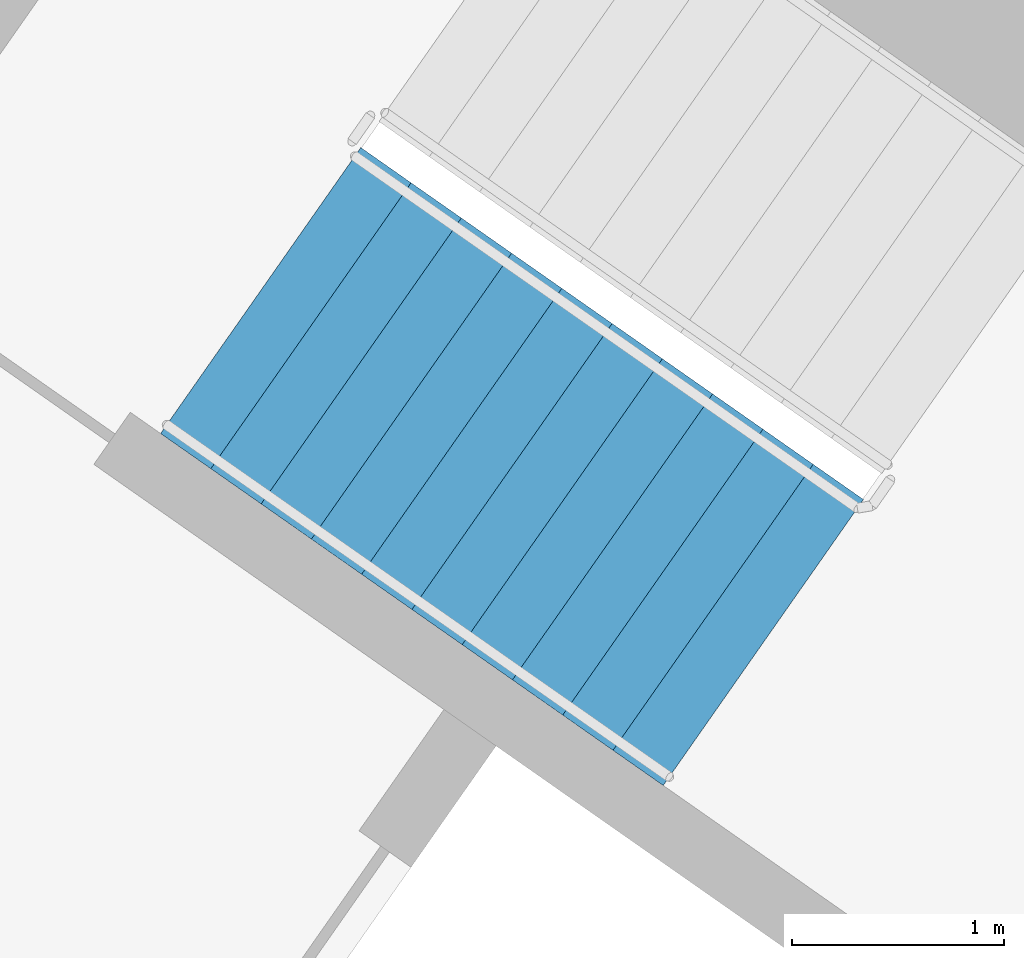
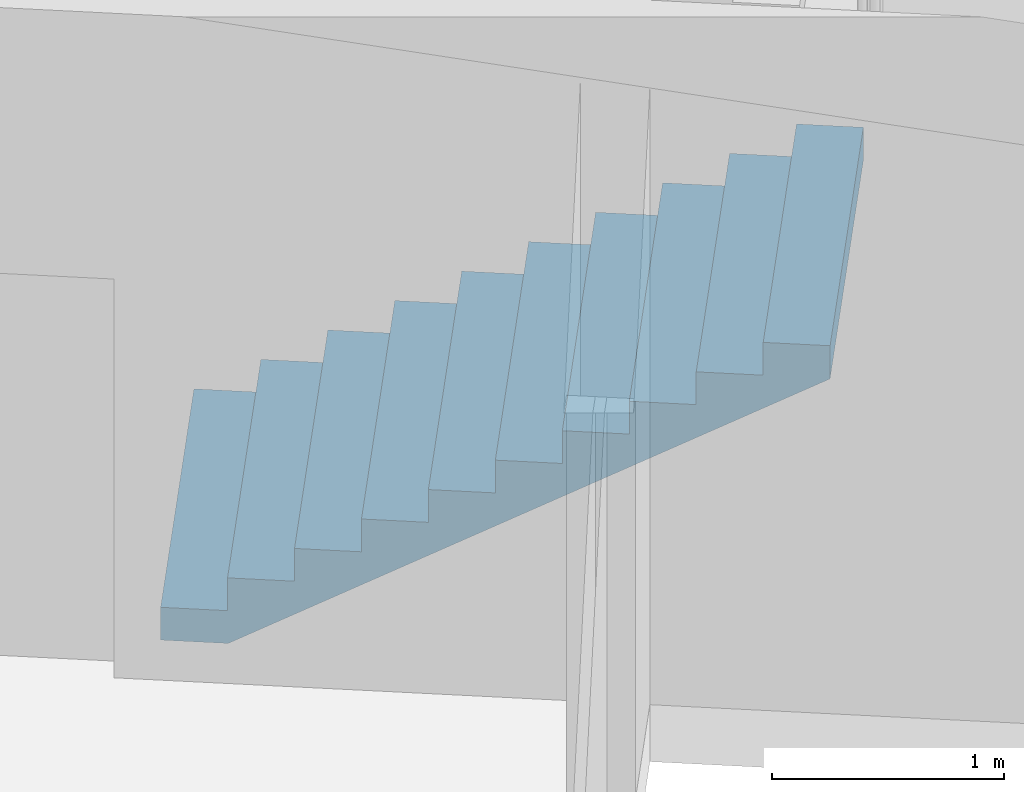
# One storey, part 13 of 29: 1 stair flight, 1 element without a shape of its own.
"""IFC4 building model written with IfcOpenShell, lengths in metres."""

from ifc_helpers import new_model, si_unit, direction, frame, origin, place, context, subcontext, project, spatial, faceted_brep, material, type_object, element, aggregate, save


model = new_model("IFC4")

# Units and contexts
model_context = context("Model", 3, precision=1e-05, world=origin(), true_north=direction((0.0, 1.0)))
body_context = subcontext(model_context, "Body", "Model", "MODEL_VIEW")
ifc_project = project(units=[si_unit("LENGTHUNIT", "METRE"), si_unit("AREAUNIT", "SQUARE_METRE"), si_unit("VOLUMEUNIT", "CUBIC_METRE"), si_unit("PLANEANGLEUNIT", "RADIAN"), si_unit("MASSUNIT", "GRAM", prefix="KILO")], contexts=[model_context])

# Site, building, storey
site_placement = place(None, origin())
site = spatial("IfcSite", under=ifc_project, at=site_placement, CompositionType="ELEMENT")
building_placement = place(site_placement, origin())
building = spatial("IfcBuilding", under=site, at=building_placement, Name="Qamariyya Broadcast Tower", CompositionType="ELEMENT")
storey_placement = place(building_placement, frame((0.0, 0.0, 129.10009765625)))
storey = spatial("IfcBuildingStorey", under=building, at=storey_placement, Name="L29", CompositionType="ELEMENT", Elevation=129.10009765625)

# Stair, stair flight
ifc_material = material(Name="Concrete C50/60", Category="concrete")
stair_type = type_object("IfcStairType", Name="Exit stair 22 risers of 173 mm", PredefinedType="HALF_TURN_STAIR", material=ifc_material)
stair_placement = place(storey_placement, origin())
stair = element("IfcStair", 1, at=stair_placement, inside=storey, type_object=stair_type, Name="L29 Stair W2", PredefinedType="HALF_TURN_STAIR")
stair_flight_type = type_object("IfcStairFlightType", Name="Exit stair flight 11 risers of 173 mm", PredefinedType="STRAIGHT", material=ifc_material)
stair_flight_placement = place(storey_placement, frame((-41.59130859375, -49.15966796875, 0.0), z_axis=(0.0, 0.0, 1.0), x_axis=(0.819152044289, -0.573576436351, 0.0)))
stair_flight = element("IfcStairFlight", 2, at=stair_flight_placement, type_object=stair_flight_type, Name="ST-W2 flight 1", NumberOfRisers=11, NumberOfTreads=10, PredefinedType="STRAIGHT", RiserHeight=0.172727273, TreadLength=0.29, context=body_context, shape_type="Brep", body=[
    faceted_brep([(0.0, 0.824951171875, 0.0), (0.0, 0.824951171875, 0.172607421875), (0.2900390625, 0.824951171875, 0.172607421875), (0.2900390625, 0.824951171875, 0.345458984375), (0.580078125, 0.824951171875, 0.345458984375), (0.580078125, 0.824951171875, 0.51806640625), (0.8701171875, 0.824951171875, 0.51806640625), (0.8701171875, 0.824951171875, 0.69091796875), (1.159912109375, 0.824951171875, 0.69091796875), (1.159912109375, 0.824951171875, 0.863525390625), (1.449951171875, 0.824951171875, 0.863525390625), (1.449951171875, 0.824951171875, 1.036376953125), (1.739990234375, 0.824951171875, 1.036376953125), (1.739990234375, 0.824951171875, 1.208984375), (2.030029296875, 0.824951171875, 1.208984375), (2.030029296875, 0.824951171875, 1.3818359375), (2.320068359375, 0.824951171875, 1.3818359375), (2.320068359375, 0.824951171875, 1.554443359375), (2.610107421875, 0.824951171875, 1.554443359375), (2.610107421875, 0.824951171875, 1.727294921875), (2.89990234375, 0.824951171875, 1.727294921875), (2.89990234375, 0.824951171875, 1.552734375), (0.29296875, 0.824951171875, 0.0), (0.29296875, -0.824951171875, 0.0), (2.89990234375, -0.824951171875, 1.552734375), (2.89990234375, -0.824951171875, 1.727294921875), (2.610107421875, -0.824951171875, 1.727294921875), (2.610107421875, -0.824951171875, 1.554443359375), (2.320068359375, -0.824951171875, 1.554443359375), (2.320068359375, -0.824951171875, 1.3818359375), (2.030029296875, -0.824951171875, 1.3818359375), (2.030029296875, -0.824951171875, 1.208984375), (1.739990234375, -0.824951171875, 1.208984375), (1.739990234375, -0.824951171875, 1.036376953125), (1.449951171875, -0.824951171875, 1.036376953125), (1.449951171875, -0.824951171875, 0.863525390625), (1.159912109375, -0.824951171875, 0.863525390625), (1.159912109375, -0.824951171875, 0.69091796875), (0.8701171875, -0.824951171875, 0.69091796875), (0.8701171875, -0.824951171875, 0.51806640625), (0.580078125, -0.824951171875, 0.51806640625), (0.580078125, -0.824951171875, 0.345458984375), (0.2900390625, -0.824951171875, 0.345458984375), (0.2900390625, -0.824951171875, 0.172607421875), (0.0, -0.824951171875, 0.172607421875), (0.0, -0.824951171875, 0.0), (0.0, 0.10009765625, 0.0), (0.0, 0.086669921875, 0.0), (0.0, 0.0732421875, 0.0), (0.0, 0.06005859375, 0.0), (0.0, 0.046630859375, 0.0), (0.0, 0.033447265625, 0.0), (0.0, 0.02001953125, 0.0), (0.0, 0.006591796875, 0.0), (0.0, -0.006591796875, 0.0), (0.0, -0.02001953125, 0.0), (0.0, -0.033447265625, 0.0), (0.0, -0.046630859375, 0.0), (0.0, -0.06005859375, 0.0), (0.0, -0.0732421875, 0.0), (0.0, -0.086669921875, 0.0), (0.0, -0.10009765625, 0.0), (0.0, -0.10009765625, 0.172607421875), (0.0, -0.086669921875, 0.172607421875), (0.0, -0.0732421875, 0.172607421875), (0.0, -0.06005859375, 0.172607421875), (0.0, -0.046630859375, 0.172607421875), (0.0, -0.033447265625, 0.172607421875), (0.0, -0.02001953125, 0.172607421875), (0.0, -0.006591796875, 0.172607421875), (0.0, 0.006591796875, 0.172607421875), (0.0, 0.02001953125, 0.172607421875), (0.0, 0.033447265625, 0.172607421875), (0.0, 0.046630859375, 0.172607421875), (0.0, 0.06005859375, 0.172607421875), (0.0, 0.0732421875, 0.172607421875), (0.0, 0.086669921875, 0.172607421875), (0.0, 0.10009765625, 0.172607421875), (0.2900390625, -0.10009765625, 0.172607421875), (0.2900390625, -0.086669921875, 0.172607421875), (0.2900390625, -0.0732421875, 0.172607421875), (0.2900390625, -0.06005859375, 0.172607421875), (0.2900390625, -0.046630859375, 0.172607421875), (0.2900390625, -0.033447265625, 0.172607421875), (0.2900390625, -0.02001953125, 0.172607421875), (0.2900390625, -0.006591796875, 0.172607421875), (0.2900390625, 0.006591796875, 0.172607421875), (0.2900390625, 0.02001953125, 0.172607421875), (0.2900390625, 0.033447265625, 0.172607421875), (0.2900390625, 0.046630859375, 0.172607421875), (0.2900390625, 0.06005859375, 0.172607421875), (0.2900390625, 0.0732421875, 0.172607421875), (0.2900390625, 0.086669921875, 0.172607421875), (0.2900390625, 0.10009765625, 0.172607421875), (0.2900390625, -0.10009765625, 0.345458984375), (0.2900390625, -0.086669921875, 0.345458984375), (0.2900390625, -0.0732421875, 0.345458984375), (0.2900390625, -0.06005859375, 0.345458984375), (0.2900390625, -0.046630859375, 0.345458984375), (0.2900390625, -0.033447265625, 0.345458984375), (0.2900390625, -0.02001953125, 0.345458984375), (0.2900390625, -0.006591796875, 0.345458984375), (0.2900390625, 0.006591796875, 0.345458984375), (0.2900390625, 0.02001953125, 0.345458984375), (0.2900390625, 0.033447265625, 0.345458984375), (0.2900390625, 0.046630859375, 0.345458984375), (0.2900390625, 0.06005859375, 0.345458984375), (0.2900390625, 0.0732421875, 0.345458984375), (0.2900390625, 0.086669921875, 0.345458984375), (0.2900390625, 0.10009765625, 0.345458984375), (0.580078125, -0.10009765625, 0.345458984375), (0.580078125, -0.086669921875, 0.345458984375), (0.580078125, -0.0732421875, 0.345458984375), (0.580078125, -0.06005859375, 0.345458984375), (0.580078125, -0.046630859375, 0.345458984375), (0.580078125, -0.033447265625, 0.345458984375), (0.580078125, -0.02001953125, 0.345458984375), (0.580078125, -0.006591796875, 0.345458984375), (0.580078125, 0.006591796875, 0.345458984375), (0.580078125, 0.02001953125, 0.345458984375), (0.580078125, 0.033447265625, 0.345458984375), (0.580078125, 0.046630859375, 0.345458984375), (0.580078125, 0.06005859375, 0.345458984375), (0.580078125, 0.0732421875, 0.345458984375), (0.580078125, 0.086669921875, 0.345458984375), (0.580078125, 0.10009765625, 0.345458984375), (0.580078125, -0.10009765625, 0.51806640625), (0.580078125, -0.086669921875, 0.51806640625), (0.580078125, -0.0732421875, 0.51806640625), (0.580078125, -0.06005859375, 0.51806640625), (0.580078125, -0.046630859375, 0.51806640625), (0.580078125, -0.033447265625, 0.51806640625), (0.580078125, -0.02001953125, 0.51806640625), (0.580078125, -0.006591796875, 0.51806640625), (0.580078125, 0.006591796875, 0.51806640625), (0.580078125, 0.02001953125, 0.51806640625), (0.580078125, 0.033447265625, 0.51806640625), (0.580078125, 0.046630859375, 0.51806640625), (0.580078125, 0.06005859375, 0.51806640625), (0.580078125, 0.0732421875, 0.51806640625), (0.580078125, 0.086669921875, 0.51806640625), (0.580078125, 0.10009765625, 0.51806640625), (0.8701171875, -0.10009765625, 0.51806640625), (0.8701171875, -0.086669921875, 0.51806640625), (0.8701171875, -0.0732421875, 0.51806640625), (0.8701171875, -0.06005859375, 0.51806640625), (0.8701171875, -0.046630859375, 0.51806640625), (0.8701171875, -0.033447265625, 0.51806640625), (0.8701171875, -0.02001953125, 0.51806640625), (0.8701171875, -0.006591796875, 0.51806640625), (0.8701171875, 0.006591796875, 0.51806640625), (0.8701171875, 0.02001953125, 0.51806640625), (0.8701171875, 0.033447265625, 0.51806640625), (0.8701171875, 0.046630859375, 0.51806640625), (0.8701171875, 0.06005859375, 0.51806640625), (0.8701171875, 0.0732421875, 0.51806640625), (0.8701171875, 0.086669921875, 0.51806640625), (0.8701171875, 0.10009765625, 0.51806640625), (0.8701171875, -0.10009765625, 0.69091796875), (0.8701171875, -0.086669921875, 0.69091796875), (0.8701171875, -0.0732421875, 0.69091796875), (0.8701171875, -0.06005859375, 0.69091796875), (0.8701171875, -0.046630859375, 0.69091796875), (0.8701171875, -0.033447265625, 0.69091796875), (0.8701171875, -0.02001953125, 0.69091796875), (0.8701171875, -0.006591796875, 0.69091796875), (0.8701171875, 0.006591796875, 0.69091796875), (0.8701171875, 0.02001953125, 0.69091796875), (0.8701171875, 0.033447265625, 0.69091796875), (0.8701171875, 0.046630859375, 0.69091796875), (0.8701171875, 0.06005859375, 0.69091796875), (0.8701171875, 0.0732421875, 0.69091796875), (0.8701171875, 0.086669921875, 0.69091796875), (0.8701171875, 0.10009765625, 0.69091796875), (1.159912109375, -0.10009765625, 0.69091796875), (1.159912109375, -0.086669921875, 0.69091796875), (1.159912109375, -0.0732421875, 0.69091796875), (1.159912109375, -0.06005859375, 0.69091796875), (1.159912109375, -0.046630859375, 0.69091796875), (1.159912109375, -0.033447265625, 0.69091796875), (1.159912109375, -0.02001953125, 0.69091796875), (1.159912109375, -0.006591796875, 0.69091796875), (1.159912109375, 0.006591796875, 0.69091796875), (1.159912109375, 0.02001953125, 0.69091796875), (1.159912109375, 0.033447265625, 0.69091796875), (1.159912109375, 0.046630859375, 0.69091796875), (1.159912109375, 0.06005859375, 0.69091796875), (1.159912109375, 0.0732421875, 0.69091796875), (1.159912109375, 0.086669921875, 0.69091796875), (1.159912109375, 0.10009765625, 0.69091796875), (1.159912109375, -0.10009765625, 0.863525390625), (1.159912109375, -0.086669921875, 0.863525390625), (1.159912109375, -0.0732421875, 0.863525390625), (1.159912109375, -0.06005859375, 0.863525390625), (1.159912109375, -0.046630859375, 0.863525390625), (1.159912109375, -0.033447265625, 0.863525390625), (1.159912109375, -0.02001953125, 0.863525390625), (1.159912109375, -0.006591796875, 0.863525390625), (1.159912109375, 0.006591796875, 0.863525390625), (1.159912109375, 0.02001953125, 0.863525390625), (1.159912109375, 0.033447265625, 0.863525390625), (1.159912109375, 0.046630859375, 0.863525390625), (1.159912109375, 0.06005859375, 0.863525390625), (1.159912109375, 0.0732421875, 0.863525390625), (1.159912109375, 0.086669921875, 0.863525390625), (1.159912109375, 0.10009765625, 0.863525390625), (1.449951171875, -0.10009765625, 0.863525390625), (1.449951171875, -0.086669921875, 0.863525390625), (1.449951171875, -0.0732421875, 0.863525390625), (1.449951171875, -0.06005859375, 0.863525390625), (1.449951171875, -0.046630859375, 0.863525390625), (1.449951171875, -0.033447265625, 0.863525390625), (1.449951171875, -0.02001953125, 0.863525390625), (1.449951171875, -0.006591796875, 0.863525390625), (1.449951171875, 0.006591796875, 0.863525390625), (1.449951171875, 0.02001953125, 0.863525390625), (1.449951171875, 0.033447265625, 0.863525390625), (1.449951171875, 0.046630859375, 0.863525390625), (1.449951171875, 0.06005859375, 0.863525390625), (1.449951171875, 0.0732421875, 0.863525390625), (1.449951171875, 0.086669921875, 0.863525390625), (1.449951171875, 0.10009765625, 0.863525390625), (1.449951171875, -0.10009765625, 1.036376953125), (1.449951171875, -0.086669921875, 1.036376953125), (1.449951171875, -0.0732421875, 1.036376953125), (1.449951171875, -0.06005859375, 1.036376953125), (1.449951171875, -0.046630859375, 1.036376953125), (1.449951171875, -0.033447265625, 1.036376953125), (1.449951171875, -0.02001953125, 1.036376953125), (1.449951171875, -0.006591796875, 1.036376953125), (1.449951171875, 0.006591796875, 1.036376953125), (1.449951171875, 0.02001953125, 1.036376953125), (1.449951171875, 0.033447265625, 1.036376953125), (1.449951171875, 0.046630859375, 1.036376953125), (1.449951171875, 0.06005859375, 1.036376953125), (1.449951171875, 0.0732421875, 1.036376953125), (1.449951171875, 0.086669921875, 1.036376953125), (1.449951171875, 0.10009765625, 1.036376953125), (1.739990234375, -0.10009765625, 1.036376953125), (1.739990234375, -0.086669921875, 1.036376953125), (1.739990234375, -0.0732421875, 1.036376953125), (1.739990234375, -0.06005859375, 1.036376953125), (1.739990234375, -0.046630859375, 1.036376953125), (1.739990234375, -0.033447265625, 1.036376953125), (1.739990234375, -0.02001953125, 1.036376953125), (1.739990234375, -0.006591796875, 1.036376953125), (1.739990234375, 0.006591796875, 1.036376953125), (1.739990234375, 0.02001953125, 1.036376953125), (1.739990234375, 0.033447265625, 1.036376953125), (1.739990234375, 0.046630859375, 1.036376953125), (1.739990234375, 0.06005859375, 1.036376953125), (1.739990234375, 0.0732421875, 1.036376953125), (1.739990234375, 0.086669921875, 1.036376953125), (1.739990234375, 0.10009765625, 1.036376953125), (1.739990234375, -0.10009765625, 1.208984375), (1.739990234375, -0.086669921875, 1.208984375), (1.739990234375, -0.0732421875, 1.208984375), (1.739990234375, -0.06005859375, 1.208984375), (1.739990234375, -0.046630859375, 1.208984375), (1.739990234375, -0.033447265625, 1.208984375), (1.739990234375, -0.02001953125, 1.208984375), (1.739990234375, -0.006591796875, 1.208984375), (1.739990234375, 0.006591796875, 1.208984375), (1.739990234375, 0.02001953125, 1.208984375), (1.739990234375, 0.033447265625, 1.208984375), (1.739990234375, 0.046630859375, 1.208984375), (1.739990234375, 0.06005859375, 1.208984375), (1.739990234375, 0.0732421875, 1.208984375), (1.739990234375, 0.086669921875, 1.208984375), (1.739990234375, 0.10009765625, 1.208984375), (2.030029296875, -0.10009765625, 1.208984375), (2.030029296875, -0.086669921875, 1.208984375), (2.030029296875, -0.0732421875, 1.208984375), (2.030029296875, -0.06005859375, 1.208984375), (2.030029296875, -0.046630859375, 1.208984375), (2.030029296875, -0.033447265625, 1.208984375), (2.030029296875, -0.02001953125, 1.208984375), (2.030029296875, -0.006591796875, 1.208984375), (2.030029296875, 0.006591796875, 1.208984375), (2.030029296875, 0.02001953125, 1.208984375), (2.030029296875, 0.033447265625, 1.208984375), (2.030029296875, 0.046630859375, 1.208984375), (2.030029296875, 0.06005859375, 1.208984375), (2.030029296875, 0.0732421875, 1.208984375), (2.030029296875, 0.086669921875, 1.208984375), (2.030029296875, 0.10009765625, 1.208984375), (2.030029296875, -0.10009765625, 1.3818359375), (2.030029296875, -0.086669921875, 1.3818359375), (2.030029296875, -0.0732421875, 1.3818359375), (2.030029296875, -0.06005859375, 1.3818359375), (2.030029296875, -0.046630859375, 1.3818359375), (2.030029296875, -0.033447265625, 1.3818359375), (2.030029296875, -0.02001953125, 1.3818359375), (2.030029296875, -0.006591796875, 1.3818359375), (2.030029296875, 0.006591796875, 1.3818359375), (2.030029296875, 0.02001953125, 1.3818359375), (2.030029296875, 0.033447265625, 1.3818359375), (2.030029296875, 0.046630859375, 1.3818359375), (2.030029296875, 0.06005859375, 1.3818359375), (2.030029296875, 0.0732421875, 1.3818359375), (2.030029296875, 0.086669921875, 1.3818359375), (2.030029296875, 0.10009765625, 1.3818359375), (2.320068359375, -0.10009765625, 1.3818359375), (2.320068359375, -0.086669921875, 1.3818359375), (2.320068359375, -0.0732421875, 1.3818359375), (2.320068359375, -0.06005859375, 1.3818359375), (2.320068359375, -0.046630859375, 1.3818359375), (2.320068359375, -0.033447265625, 1.3818359375), (2.320068359375, -0.02001953125, 1.3818359375), (2.320068359375, -0.006591796875, 1.3818359375), (2.320068359375, 0.006591796875, 1.3818359375), (2.320068359375, 0.02001953125, 1.3818359375), (2.320068359375, 0.033447265625, 1.3818359375), (2.320068359375, 0.046630859375, 1.3818359375), (2.320068359375, 0.06005859375, 1.3818359375), (2.320068359375, 0.0732421875, 1.3818359375), (2.320068359375, 0.086669921875, 1.3818359375), (2.320068359375, 0.10009765625, 1.3818359375), (2.320068359375, -0.10009765625, 1.554443359375), (2.320068359375, -0.086669921875, 1.554443359375), (2.320068359375, -0.0732421875, 1.554443359375), (2.320068359375, -0.06005859375, 1.554443359375), (2.320068359375, -0.046630859375, 1.554443359375), (2.320068359375, -0.033447265625, 1.554443359375), (2.320068359375, -0.02001953125, 1.554443359375), (2.320068359375, -0.006591796875, 1.554443359375), (2.320068359375, 0.006591796875, 1.554443359375), (2.320068359375, 0.02001953125, 1.554443359375), (2.320068359375, 0.033447265625, 1.554443359375), (2.320068359375, 0.046630859375, 1.554443359375), (2.320068359375, 0.06005859375, 1.554443359375), (2.320068359375, 0.0732421875, 1.554443359375), (2.320068359375, 0.086669921875, 1.554443359375), (2.320068359375, 0.10009765625, 1.554443359375), (2.610107421875, -0.10009765625, 1.554443359375), (2.610107421875, -0.086669921875, 1.554443359375), (2.610107421875, -0.0732421875, 1.554443359375), (2.610107421875, -0.06005859375, 1.554443359375), (2.610107421875, -0.046630859375, 1.554443359375), (2.610107421875, -0.033447265625, 1.554443359375), (2.610107421875, -0.02001953125, 1.554443359375), (2.610107421875, -0.006591796875, 1.554443359375), (2.610107421875, 0.006591796875, 1.554443359375), (2.610107421875, 0.02001953125, 1.554443359375), (2.610107421875, 0.033447265625, 1.554443359375), (2.610107421875, 0.046630859375, 1.554443359375), (2.610107421875, 0.06005859375, 1.554443359375), (2.610107421875, 0.0732421875, 1.554443359375), (2.610107421875, 0.086669921875, 1.554443359375), (2.610107421875, 0.10009765625, 1.554443359375), (2.610107421875, -0.10009765625, 1.727294921875), (2.610107421875, -0.086669921875, 1.727294921875), (2.610107421875, -0.0732421875, 1.727294921875), (2.610107421875, -0.06005859375, 1.727294921875), (2.610107421875, -0.046630859375, 1.727294921875), (2.610107421875, -0.033447265625, 1.727294921875), (2.610107421875, -0.02001953125, 1.727294921875), (2.610107421875, -0.006591796875, 1.727294921875), (2.610107421875, 0.006591796875, 1.727294921875), (2.610107421875, 0.02001953125, 1.727294921875), (2.610107421875, 0.033447265625, 1.727294921875), (2.610107421875, 0.046630859375, 1.727294921875), (2.610107421875, 0.06005859375, 1.727294921875), (2.610107421875, 0.0732421875, 1.727294921875), (2.610107421875, 0.086669921875, 1.727294921875), (2.610107421875, 0.10009765625, 1.727294921875), (2.89990234375, -0.10009765625, 1.727294921875), (2.89990234375, -0.086669921875, 1.727294921875), (2.89990234375, -0.0732421875, 1.727294921875), (2.89990234375, -0.06005859375, 1.727294921875), (2.89990234375, -0.046630859375, 1.727294921875), (2.89990234375, -0.033447265625, 1.727294921875), (2.89990234375, -0.02001953125, 1.727294921875), (2.89990234375, -0.006591796875, 1.727294921875), (2.89990234375, 0.006591796875, 1.727294921875), (2.89990234375, 0.02001953125, 1.727294921875), (2.89990234375, 0.033447265625, 1.727294921875), (2.89990234375, 0.046630859375, 1.727294921875), (2.89990234375, 0.06005859375, 1.727294921875), (2.89990234375, 0.0732421875, 1.727294921875), (2.89990234375, 0.086669921875, 1.727294921875), (2.89990234375, 0.10009765625, 1.727294921875), (2.89990234375, -0.10009765625, 1.552734375), (2.89990234375, -0.086669921875, 1.552734375), (2.89990234375, -0.0732421875, 1.552734375), (2.89990234375, -0.06005859375, 1.552734375), (2.89990234375, -0.046630859375, 1.552734375), (2.89990234375, -0.033447265625, 1.552734375), (2.89990234375, -0.02001953125, 1.552734375), (2.89990234375, -0.006591796875, 1.552734375), (2.89990234375, 0.006591796875, 1.552734375), (2.89990234375, 0.02001953125, 1.552734375), (2.89990234375, 0.033447265625, 1.552734375), (2.89990234375, 0.046630859375, 1.552734375), (2.89990234375, 0.06005859375, 1.552734375), (2.89990234375, 0.0732421875, 1.552734375), (2.89990234375, 0.086669921875, 1.552734375), (2.89990234375, 0.10009765625, 1.552734375), (0.29296875, -0.10009765625, 0.0), (0.29296875, -0.086669921875, 0.0), (0.29296875, -0.0732421875, 0.0), (0.29296875, -0.06005859375, 0.0), (0.29296875, -0.046630859375, 0.0), (0.29296875, -0.033447265625, 0.0), (0.29296875, -0.02001953125, 0.0), (0.29296875, -0.006591796875, 0.0), (0.29296875, 0.006591796875, 0.0), (0.29296875, 0.02001953125, 0.0), (0.29296875, 0.033447265625, 0.0), (0.29296875, 0.046630859375, 0.0), (0.29296875, 0.06005859375, 0.0), (0.29296875, 0.0732421875, 0.0), (0.29296875, 0.086669921875, 0.0), (0.29296875, 0.10009765625, 0.0)], [[[0, 1, 2, 3, 4, 5, 6, 7, 8, 9, 10, 11, 12, 13, 14, 15, 16, 17, 18, 19, 20, 21, 22]], [[23, 24, 25, 26, 27, 28, 29, 30, 31, 32, 33, 34, 35, 36, 37, 38, 39, 40, 41, 42, 43, 44, 45]], [[0, 46, 47, 48, 49, 50, 51, 52, 53, 54, 55, 56, 57, 58, 59, 60, 61, 45, 44, 62, 63, 64, 65, 66, 67, 68, 69, 70, 71, 72, 73, 74, 75, 76, 77, 1]], [[1, 77, 76, 75, 74, 73, 72, 71, 70, 69, 68, 67, 66, 65, 64, 63, 62, 44, 43, 78, 79, 80, 81, 82, 83, 84, 85, 86, 87, 88, 89, 90, 91, 92, 93, 2]], [[2, 93, 92, 91, 90, 89, 88, 87, 86, 85, 84, 83, 82, 81, 80, 79, 78, 43, 42, 94, 95, 96, 97, 98, 99, 100, 101, 102, 103, 104, 105, 106, 107, 108, 109, 3]], [[3, 109, 108, 107, 106, 105, 104, 103, 102, 101, 100, 99, 98, 97, 96, 95, 94, 42, 41, 110, 111, 112, 113, 114, 115, 116, 117, 118, 119, 120, 121, 122, 123, 124, 125, 4]], [[4, 125, 124, 123, 122, 121, 120, 119, 118, 117, 116, 115, 114, 113, 112, 111, 110, 41, 40, 126, 127, 128, 129, 130, 131, 132, 133, 134, 135, 136, 137, 138, 139, 140, 141, 5]], [[5, 141, 140, 139, 138, 137, 136, 135, 134, 133, 132, 131, 130, 129, 128, 127, 126, 40, 39, 142, 143, 144, 145, 146, 147, 148, 149, 150, 151, 152, 153, 154, 155, 156, 157, 6]], [[6, 157, 156, 155, 154, 153, 152, 151, 150, 149, 148, 147, 146, 145, 144, 143, 142, 39, 38, 158, 159, 160, 161, 162, 163, 164, 165, 166, 167, 168, 169, 170, 171, 172, 173, 7]], [[7, 173, 172, 171, 170, 169, 168, 167, 166, 165, 164, 163, 162, 161, 160, 159, 158, 38, 37, 174, 175, 176, 177, 178, 179, 180, 181, 182, 183, 184, 185, 186, 187, 188, 189, 8]], [[8, 189, 188, 187, 186, 185, 184, 183, 182, 181, 180, 179, 178, 177, 176, 175, 174, 37, 36, 190, 191, 192, 193, 194, 195, 196, 197, 198, 199, 200, 201, 202, 203, 204, 205, 9]], [[9, 205, 204, 203, 202, 201, 200, 199, 198, 197, 196, 195, 194, 193, 192, 191, 190, 36, 35, 206, 207, 208, 209, 210, 211, 212, 213, 214, 215, 216, 217, 218, 219, 220, 221, 10]], [[10, 221, 220, 219, 218, 217, 216, 215, 214, 213, 212, 211, 210, 209, 208, 207, 206, 35, 34, 222, 223, 224, 225, 226, 227, 228, 229, 230, 231, 232, 233, 234, 235, 236, 237, 11]], [[11, 237, 236, 235, 234, 233, 232, 231, 230, 229, 228, 227, 226, 225, 224, 223, 222, 34, 33, 238, 239, 240, 241, 242, 243, 244, 245, 246, 247, 248, 249, 250, 251, 252, 253, 12]], [[12, 253, 252, 251, 250, 249, 248, 247, 246, 245, 244, 243, 242, 241, 240, 239, 238, 33, 32, 254, 255, 256, 257, 258, 259, 260, 261, 262, 263, 264, 265, 266, 267, 268, 269, 13]], [[13, 269, 268, 267, 266, 265, 264, 263, 262, 261, 260, 259, 258, 257, 256, 255, 254, 32, 31, 270, 271, 272, 273, 274, 275, 276, 277, 278, 279, 280, 281, 282, 283, 284, 285, 14]], [[14, 285, 284, 283, 282, 281, 280, 279, 278, 277, 276, 275, 274, 273, 272, 271, 270, 31, 30, 286, 287, 288, 289, 290, 291, 292, 293, 294, 295, 296, 297, 298, 299, 300, 301, 15]], [[15, 301, 300, 299, 298, 297, 296, 295, 294, 293, 292, 291, 290, 289, 288, 287, 286, 30, 29, 302, 303, 304, 305, 306, 307, 308, 309, 310, 311, 312, 313, 314, 315, 316, 317, 16]], [[16, 317, 316, 315, 314, 313, 312, 311, 310, 309, 308, 307, 306, 305, 304, 303, 302, 29, 28, 318, 319, 320, 321, 322, 323, 324, 325, 326, 327, 328, 329, 330, 331, 332, 333, 17]], [[17, 333, 332, 331, 330, 329, 328, 327, 326, 325, 324, 323, 322, 321, 320, 319, 318, 28, 27, 334, 335, 336, 337, 338, 339, 340, 341, 342, 343, 344, 345, 346, 347, 348, 349, 18]], [[18, 349, 348, 347, 346, 345, 344, 343, 342, 341, 340, 339, 338, 337, 336, 335, 334, 27, 26, 350, 351, 352, 353, 354, 355, 356, 357, 358, 359, 360, 361, 362, 363, 364, 365, 19]], [[19, 365, 364, 363, 362, 361, 360, 359, 358, 357, 356, 355, 354, 353, 352, 351, 350, 26, 25, 366, 367, 368, 369, 370, 371, 372, 373, 374, 375, 376, 377, 378, 379, 380, 381, 20]], [[20, 381, 380, 379, 378, 377, 376, 375, 374, 373, 372, 371, 370, 369, 368, 367, 366, 25, 24, 382, 383, 384, 385, 386, 387, 388, 389, 390, 391, 392, 393, 394, 395, 396, 397, 21]], [[21, 397, 396, 395, 394, 393, 392, 391, 390, 389, 388, 387, 386, 385, 384, 383, 382, 24, 23, 398, 399, 400, 401, 402, 403, 404, 405, 406, 407, 408, 409, 410, 411, 412, 413, 22]], [[22, 413, 412, 411, 410, 409, 408, 407, 406, 405, 404, 403, 402, 401, 400, 399, 398, 23, 45, 61, 60, 59, 58, 57, 56, 55, 54, 53, 52, 51, 50, 49, 48, 47, 46, 0]]]),
])
aggregate(stair, [stair_flight])

save(model, "model.ifc")
